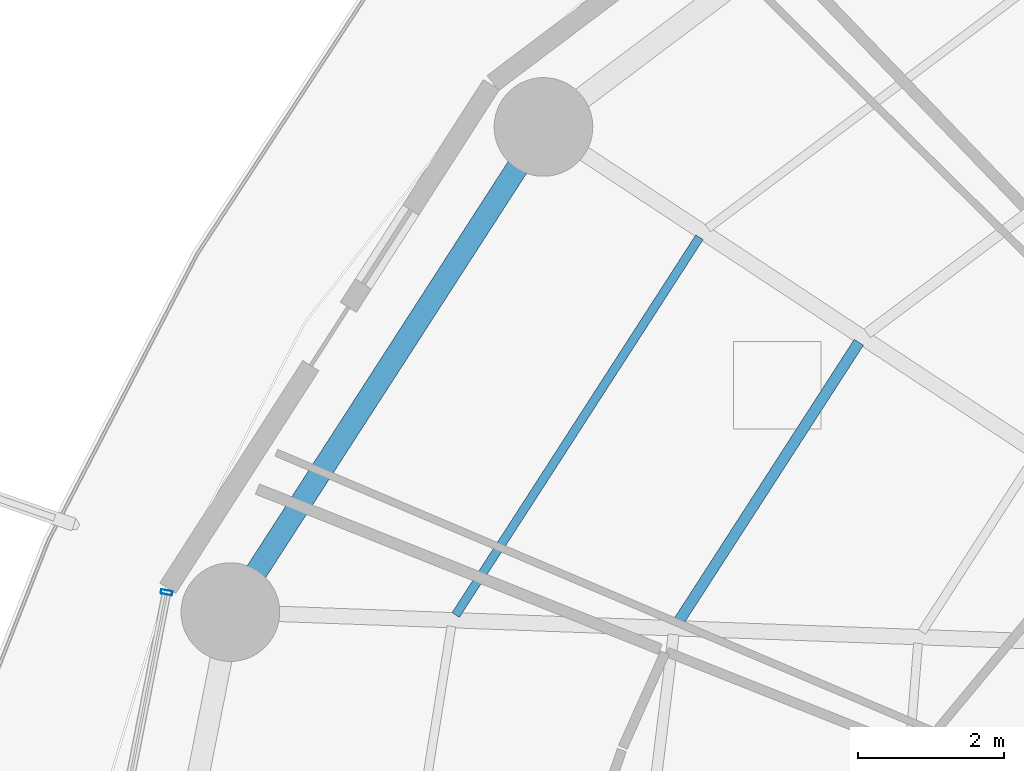
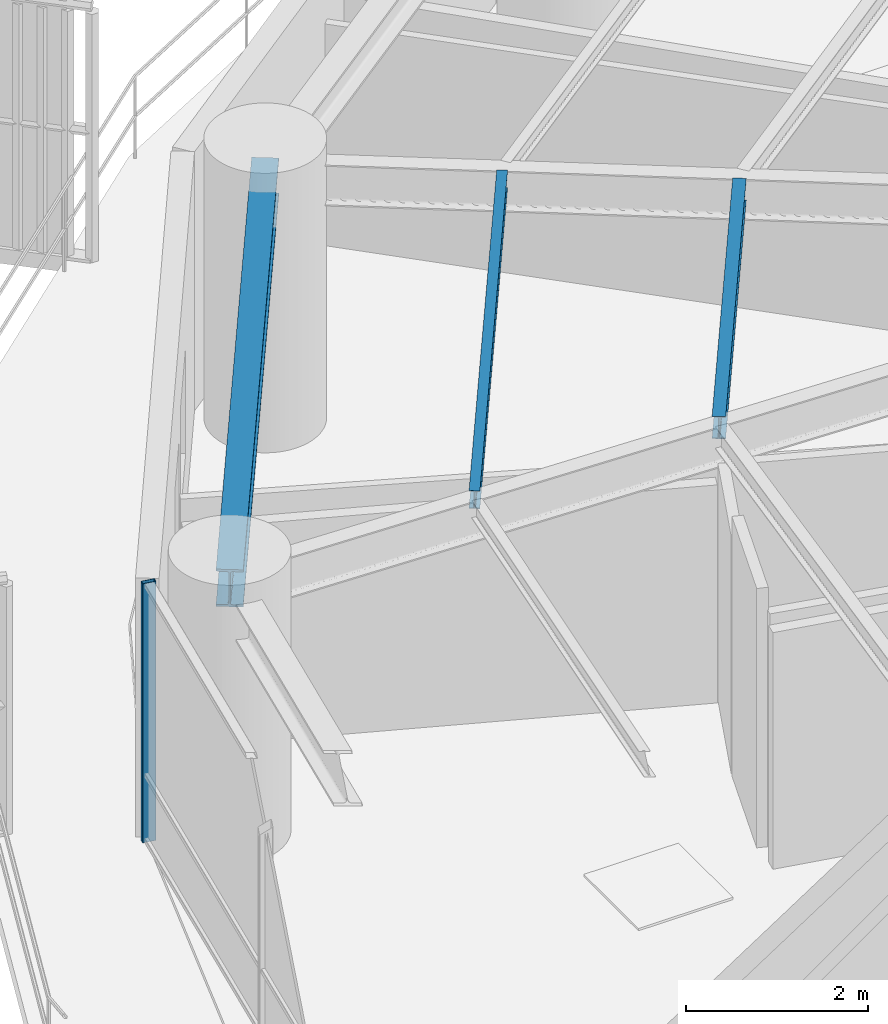
# One storey, part 15 of 33: 3 beams, 1 member, 1 element without a shape of its own.
"""IFC4 building model written with IfcOpenShell, lengths in metres."""

from ifc_helpers import new_model, si_unit, direction, frame, origin, origin_2d, place, context, subcontext, project, spatial, hollow_rectangle, i_section, extrude, material, layer, layer_set, material_profile, profile_set, type_object, element, aggregate, save


model = new_model("IFC4")

# Units and contexts
model_context = context("Model", 3, precision=1e-05, world=origin(), true_north=direction((0.0, 1.0)))
body_context = subcontext(model_context, "Body", "Model", "MODEL_VIEW")
ifc_project = project(units=[si_unit("LENGTHUNIT", "METRE"), si_unit("AREAUNIT", "SQUARE_METRE"), si_unit("VOLUMEUNIT", "CUBIC_METRE"), si_unit("PLANEANGLEUNIT", "RADIAN"), si_unit("MASSUNIT", "GRAM", prefix="KILO")], contexts=[model_context])

# Site, building, storey
site_placement = place(None, origin())
site = spatial("IfcSite", under=ifc_project, at=site_placement, CompositionType="ELEMENT")
building_placement = place(site_placement, origin())
building = spatial("IfcBuilding", under=site, at=building_placement, Name="Kelanora Arch Commons", CompositionType="ELEMENT")
storey_placement = place(building_placement, frame((0.0, 0.0, 80.10009765625)))
storey = spatial("IfcBuildingStorey", under=building, at=storey_placement, Name="L20", CompositionType="ELEMENT", Elevation=80.10009765625)

# Beams
ifc_material_1 = material(Name="Steel S355", Category="steel")
ifc_material_profile_1 = material_profile(ifc_material_1, i_section(OverallWidth=0.14990234375, OverallDepth=0.300048828125, WebThickness=0.007080078125, FlangeThickness=0.0107421875, FilletRadius=0.014892578125, at=origin_2d()), Name="IPE300")
ifc_profile_set_1 = profile_set([ifc_material_profile_1], Name="Steel S355")
beam_type_1 = type_object("IfcBeamType", Name="BM-JST-01", PredefinedType="JOIST", material=ifc_profile_set_1)
beam_1_placement = place(storey_placement, frame((59.410400390625, 69.244384765625, 3.33984375), z_axis=(-0.542230243286, -0.840229946661, 0.0), x_axis=(0.840229946661, -0.542230243286, 0.0)))
element("IfcBeam", 1, at=beam_1_placement, inside=storey, type_object=beam_type_1, Name="Secondary Chord Joist BJB-14 L20", PredefinedType="JOIST", context=body_context, shape_type="SweptSolid", body=[
    extrude(i_section(OverallWidth=0.14990234375, OverallDepth=0.300048828125, WebThickness=0.007080078125, FlangeThickness=0.0107421875, FilletRadius=0.014892578125, at=origin_2d()), origin(), (0.0, 0.0, 1.0), 4.572265625),
])
ifc_material_profile_2 = material_profile(ifc_material_1, i_section(OverallWidth=0.1201171875, OverallDepth=0.239990234375, WebThickness=0.006103515625, FlangeThickness=0.009765625, FilletRadius=0.014892578125, at=origin_2d()), Name="IPE240")
ifc_profile_set_2 = profile_set([ifc_material_profile_2], Name="Steel S355")
beam_type_2 = type_object("IfcBeamType", Name="BM-JST-02", PredefinedType="JOIST", material=ifc_profile_set_2)
beam_2_placement = place(storey_placement, frame((57.22900390625, 70.682861328125, 3.369873046875), z_axis=(-0.542212726273, -0.840241250754, 0.0), x_axis=(0.840241250754, -0.542212726273, 0.0)))
element("IfcBeam", 2, at=beam_2_placement, inside=storey, type_object=beam_type_2, Name="Secondary Chord Joist BJC-14 L20", PredefinedType="JOIST", context=body_context, shape_type="SweptSolid", body=[
    extrude(i_section(OverallWidth=0.1201171875, OverallDepth=0.239990234375, WebThickness=0.006103515625, FlangeThickness=0.009765625, FilletRadius=0.014892578125, at=origin_2d()), origin(), (0.0, 0.0, 1.0), 6.15283203125),
])
ifc_material_profile_3 = material_profile(ifc_material_1, i_section(OverallWidth=0.300048828125, OverallDepth=0.5, WebThickness=0.014404296875, FlangeThickness=0.028076171875, FilletRadius=0.027099609375, at=origin_2d()), Name="HEB500")
ifc_profile_set_3 = profile_set([ifc_material_profile_3], Name="Steel S355")
beam_type_3 = type_object("IfcBeamType", Name="BM-SPN-Z2", PredefinedType="SPANDREL", material=ifc_profile_set_3)
beam_3_placement = place(storey_placement, frame((55.093994140625, 72.19287109375, 3.239990234375), z_axis=(-0.542221144054, -0.840235818649, 0.0), x_axis=(0.840235818649, -0.542221144054, 0.0)))
element("IfcBeam", 3, at=beam_3_placement, inside=storey, type_object=beam_type_3, Name="Perimeter Spandrel Beam BS-14 L20", PredefinedType="SPANDREL", context=body_context, shape_type="SweptSolid", body=[
    extrude(i_section(OverallWidth=0.300048828125, OverallDepth=0.5, WebThickness=0.014404296875, FlangeThickness=0.028076171875, FilletRadius=0.027099609375, at=origin_2d()), origin(), (0.0, 0.0, 1.0), 7.90380859375),
])

# Curtain wall, member
ifc_material_2 = material(Name="Terracotta ceramic-fritted low-E glass and aluminium", Category="masonry")
ifc_layer = layer(ifc_material_2, 0.159912109375)
ifc_layer_set = layer_set([ifc_layer], Name="Terracotta ceramic-fritted low-E glass and aluminium")
curtain_wall_type = type_object("IfcCurtainWallType", Name="CW-SYS-01", PredefinedType="NOTDEFINED", material=ifc_layer_set)
curtain_wall_placement = place(storey_placement, origin())
curtain_wall = element("IfcCurtainWall", 4, at=curtain_wall_placement, inside=storey, type_object=curtain_wall_type, Name="Unitised Curtain Wall L20-B08", PredefinedType="NOTDEFINED")
ifc_material_3 = material(Name="Powder-coated aluminium terracotta", Category="masonry")
ifc_material_profile_4 = material_profile(ifc_material_3, hollow_rectangle(XDim=0.159912109375, YDim=0.06005859375, WallThickness=0.0048828125, InnerFilletRadius=0.0048828125, OuterFilletRadius=0.010009765625, at=origin_2d()), Name="CWM160x60")
ifc_profile_set_4 = profile_set([ifc_material_profile_4], Name="Powder-coated aluminium terracotta")
member_type = type_object("IfcMemberType", Name="CWM-STD", PredefinedType="MULLION", material=ifc_profile_set_4)
member_placement = place(storey_placement, frame((49.935302734375, 65.822265625, 0.0), z_axis=(0.0, 0.0, 1.0), x_axis=(0.981280311646, -0.192584916272, 0.0)))
member = element("IfcMember", 5, at=member_placement, type_object=member_type, Name="CW-01 mullion 1", PredefinedType="MULLION", context=body_context, shape_type="SweptSolid", body=[
    extrude(hollow_rectangle(XDim=0.159912109375, YDim=0.06005859375, WallThickness=0.0048828125, InnerFilletRadius=0.0048828125, OuterFilletRadius=0.010009765625, at=origin_2d()), origin(), (0.0, 0.0, 1.0), 3.474853515625),
])
aggregate(curtain_wall, [member])

save(model, "model.ifc")
